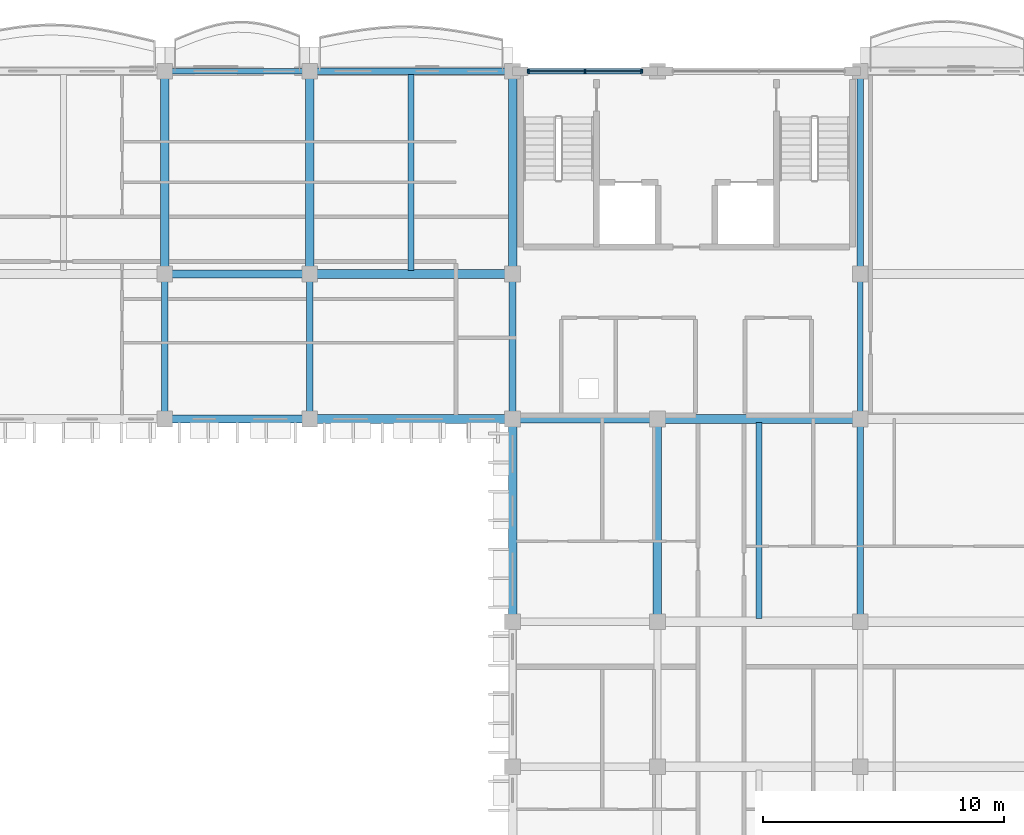
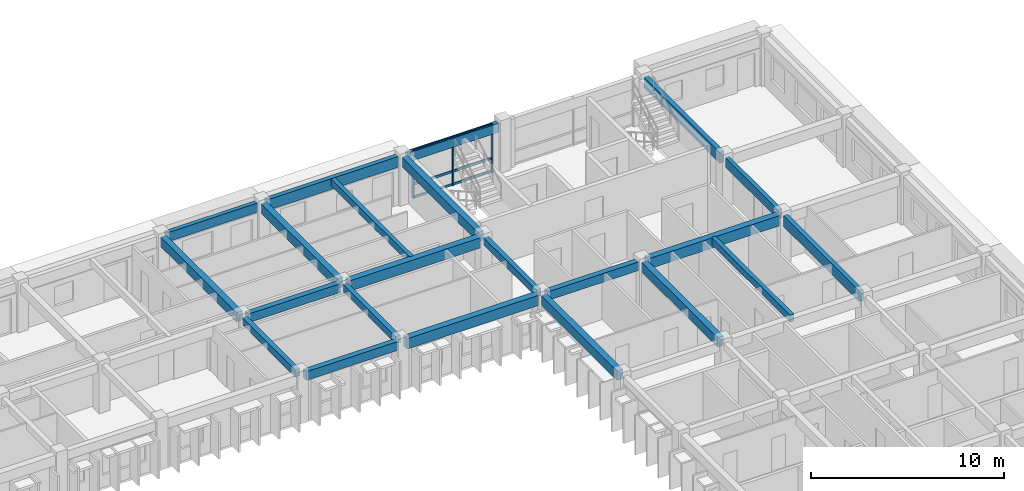
# One storey, part 9 of 70: 22 beams, 6 members, 1 element without a shape of its own.
"""IFC4 building model written with IfcOpenShell, lengths in metres."""

from ifc_helpers import new_model, si_unit, direction, frame, origin, origin_2d, place, context, subcontext, project, spatial, rectangle, extrude, material, material_profile, profile_set, type_object, element, aggregate, save


model = new_model("IFC4")

# Units and contexts
model_context = context("Model", 3, precision=1e-05, world=origin(), true_north=direction((0.0, 1.0)))
body_context = subcontext(model_context, "Body", "Model", "MODEL_VIEW")
ifc_project = project(units=[si_unit("LENGTHUNIT", "METRE"), si_unit("AREAUNIT", "SQUARE_METRE"), si_unit("VOLUMEUNIT", "CUBIC_METRE"), si_unit("PLANEANGLEUNIT", "RADIAN"), si_unit("MASSUNIT", "GRAM", prefix="KILO"), si_unit("THERMODYNAMICTEMPERATUREUNIT", "KELVIN")], contexts=[model_context])

# Site, building, storey
site_placement = place(None, origin())
site = spatial("IfcSite", under=ifc_project, at=site_placement, CompositionType="ELEMENT")
building_placement = place(site_placement, origin())
building = spatial("IfcBuilding", under=site, at=building_placement, Name="Thalorik Housing Commons", CompositionType="ELEMENT")
storey_placement = place(building_placement, frame((0.0, 0.0, 14.699951171875)))
storey = spatial("IfcBuildingStorey", under=building, at=storey_placement, Name="L04", CompositionType="ELEMENT", Elevation=14.699951171875)

# Curtain wall, members
ifc_material_1 = material(Name="Anodised aluminium and solar-control low-E glass", Category="aluminium")
curtain_wall_type = type_object("IfcCurtainWallType", Name="ARC-CW-CORE", PredefinedType="USERDEFINED", material=ifc_material_1)
curtain_wall_placement = place(storey_placement, origin())
curtain_wall = element("IfcCurtainWall", 1, at=curtain_wall_placement, inside=storey, type_object=curtain_wall_type, Name="L04 Curtain Wall CW-CORE-L04-B-090", ObjectType="CURTAIN WALL", PredefinedType="USERDEFINED")
ifc_material_2 = material(Name="Anodised aluminium 6063-T6", Category="aluminium")
ifc_material_profile_1 = material_profile(ifc_material_2, rectangle(XDim=0.06494140625, YDim=0.179931640625, at=origin_2d()), Name="ALU MUL 65x180", Category="aluminium")
ifc_profile_set_1 = profile_set([ifc_material_profile_1], Name="Anodised aluminium 6063-T6")
member_type_1 = type_object("IfcMemberType", Name="ARC-CW-MUL-65x180", PredefinedType="MULLION", material=ifc_profile_set_1)
member_1_placement = place(storey_placement, frame((157.75, 123.60009765625, 0.0), z_axis=(0.0, 0.0, 1.0), x_axis=(-1.0, 0.0, 0.0)))
member_1 = element("IfcMember", 2, at=member_1_placement, type_object=member_type_1, Name="CW-CORE-L04-B-090 Mullion 1", PredefinedType="MULLION", context=body_context, shape_type="SweptSolid", body=[
    extrude(rectangle(XDim=0.06494140625, YDim=0.179931640625, at=origin_2d()), origin(), (0.0, 0.0, 1.0), 3.0400390625),
])
member_2_placement = place(storey_placement, frame((155.39990234375, 123.60009765625, 0.0), z_axis=(0.0, 0.0, 1.0), x_axis=(-1.0, 0.0, 0.0)))
member_2 = element("IfcMember", 3, at=member_2_placement, type_object=member_type_1, Name="CW-CORE-L04-B-090 Mullion 2", PredefinedType="MULLION", context=body_context, shape_type="SweptSolid", body=[
    extrude(rectangle(XDim=0.06494140625, YDim=0.179931640625, at=origin_2d()), origin(), (0.0, 0.0, 1.0), 3.0400390625),
])
member_3_placement = place(storey_placement, frame((153.050048828125, 123.60009765625, 0.0), z_axis=(0.0, 0.0, 1.0), x_axis=(-1.0, 0.0, 0.0)))
member_3 = element("IfcMember", 4, at=member_3_placement, type_object=member_type_1, Name="CW-CORE-L04-B-090 Mullion 3", PredefinedType="MULLION", context=body_context, shape_type="SweptSolid", body=[
    extrude(rectangle(XDim=0.06494140625, YDim=0.179931640625, at=origin_2d()), origin(), (0.0, 0.0, 1.0), 3.0400390625),
])
ifc_material_profile_2 = material_profile(ifc_material_2, rectangle(XDim=0.06494140625, YDim=0.14990234375, at=origin_2d()), Name="ALU TRN 65x150", Category="aluminium")
ifc_profile_set_2 = profile_set([ifc_material_profile_2], Name="Anodised aluminium 6063-T6")
member_type_2 = type_object("IfcMemberType", Name="ARC-CW-TRN-65x150", PredefinedType="USERDEFINED", material=ifc_profile_set_2)
member_4_placement = place(storey_placement, frame((157.75, 123.60009765625, 0.054931640625), z_axis=(-1.0, 0.0, 0.0), x_axis=(0.0, -1.0, 0.0)))
member_4 = element("IfcMember", 5, at=member_4_placement, type_object=member_type_2, Name="CW-CORE-L04-B-090 Transom 1", ObjectType="TRANSOM", PredefinedType="USERDEFINED", context=body_context, shape_type="SweptSolid", body=[
    extrude(rectangle(XDim=0.06494140625, YDim=0.14990234375, at=origin_2d()), origin(), (0.0, 0.0, 1.0), 4.699951171875),
])
member_5_placement = place(storey_placement, frame((157.75, 123.60009765625, 0.880126953125), z_axis=(-1.0, 0.0, 0.0), x_axis=(0.0, -1.0, 0.0)))
member_5 = element("IfcMember", 6, at=member_5_placement, type_object=member_type_2, Name="CW-CORE-L04-B-090 Transom 2", ObjectType="TRANSOM", PredefinedType="USERDEFINED", context=body_context, shape_type="SweptSolid", body=[
    extrude(rectangle(XDim=0.06494140625, YDim=0.14990234375, at=origin_2d()), origin(), (0.0, 0.0, 1.0), 4.699951171875),
])
member_6_placement = place(storey_placement, frame((157.75, 123.60009765625, 2.985107421875), z_axis=(-1.0, 0.0, 0.0), x_axis=(0.0, -1.0, 0.0)))
member_6 = element("IfcMember", 7, at=member_6_placement, type_object=member_type_2, Name="CW-CORE-L04-B-090 Transom 3", ObjectType="TRANSOM", PredefinedType="USERDEFINED", context=body_context, shape_type="SweptSolid", body=[
    extrude(rectangle(XDim=0.06494140625, YDim=0.14990234375, at=origin_2d()), origin(), (0.0, 0.0, 1.0), 4.699951171875),
])
aggregate(curtain_wall, [member_1, member_2, member_3, member_4, member_5, member_6])

# Beams
ifc_material_3 = material(Name="Precast concrete C40/50", Category="concrete")
ifc_material_profile_3 = material_profile(ifc_material_3, rectangle(XDim=0.280029296875, YDim=0.449951171875, at=origin_2d()), Name="PC 280x450", Category="concrete")
ifc_profile_set_3 = profile_set([ifc_material_profile_3], Name="Precast concrete C40/50")
beam_type_1 = type_object("IfcBeamType", Name="STR-BM-PC280x450", PredefinedType="BEAM", material=ifc_profile_set_3)
for number, where, z_axis, x_axis, name in (
    (8, (138.0, 109.47509765625, 2.81494140625), (0.0, 1.0, 0.0), (-1.0, 0.0, 0.0), "L04 Beam B-450"),
    (9, (144.0, 109.47509765625, 2.81494140625), (0.0, 1.0, 0.0), (-1.0, 0.0, 0.0), "L04 Beam B-450"),
    (10, (152.39990234375, 109.47509765625, 2.81494140625), (0.0, 1.0, 0.0), (-1.0, 0.0, 0.0), "L04 Beam B-450"),
):
    element("IfcBeam", number, at=place(storey_placement, frame(where, z_axis=z_axis, x_axis=x_axis)), inside=storey, type_object=beam_type_1, Name=name, PredefinedType="BEAM", context=body_context, shape_type="SweptSolid", body=[
        extrude(rectangle(XDim=0.280029296875, YDim=0.449951171875, at=origin_2d()), origin(), (0.0, 0.0, 1.0), 5.449951171875),
    ])
ifc_material_profile_4 = material_profile(ifc_material_3, rectangle(XDim=0.320068359375, YDim=0.550048828125, at=origin_2d()), Name="PC 320x550", Category="concrete")
ifc_profile_set_4 = profile_set([ifc_material_profile_4], Name="Precast concrete C40/50")
beam_type_2 = type_object("IfcBeamType", Name="STR-BM-PC320x550", PredefinedType="BEAM", material=ifc_profile_set_4)
beam_1_placement = place(storey_placement, frame((138.27490234375, 109.199951171875, 2.76513671875), z_axis=(1.0, 0.0, 0.0), x_axis=(0.0, 1.0, 0.0)))
element("IfcBeam", 11, at=beam_1_placement, inside=storey, type_object=beam_type_2, Name="L04 Beam B-550", PredefinedType="BEAM", context=body_context, shape_type="SweptSolid", body=[
    extrude(rectangle(XDim=0.320068359375, YDim=0.550048828125, at=origin_2d()), origin(), (0.0, 0.0, 1.0), 5.4501953125),
])
beam_2_placement = place(storey_placement, frame((152.675048828125, 109.199951171875, 2.76513671875), z_axis=(1.0, 0.0, 0.0), x_axis=(0.0, 1.0, 0.0)))
element("IfcBeam", 12, at=beam_2_placement, inside=storey, type_object=beam_type_2, Name="L04 Beam B-550", PredefinedType="BEAM", context=body_context, shape_type="SweptSolid", body=[
    extrude(rectangle(XDim=0.320068359375, YDim=0.550048828125, at=origin_2d()), origin(), (0.0, 0.0, 1.0), 5.449951171875),
])
beam_3_placement = place(storey_placement, frame((138.27490234375, 115.199951171875, 2.76513671875), z_axis=(1.0, 0.0, 0.0), x_axis=(0.0, 1.0, 0.0)))
element("IfcBeam", 13, at=beam_3_placement, inside=storey, type_object=beam_type_2, Name="L04 Beam B-550", PredefinedType="BEAM", context=body_context, shape_type="SweptSolid", body=[
    extrude(rectangle(XDim=0.320068359375, YDim=0.550048828125, at=origin_2d()), origin(), (0.0, 0.0, 1.0), 5.4501953125),
])
ifc_material_profile_5 = material_profile(ifc_material_3, rectangle(XDim=0.35009765625, YDim=0.60009765625, at=origin_2d()), Name="PC 350x600", Category="concrete")
ifc_profile_set_5 = profile_set([ifc_material_profile_5], Name="Precast concrete C40/50")
beam_type_3 = type_object("IfcBeamType", Name="STR-BM-PC350x600", PredefinedType="BEAM", material=ifc_profile_set_5)
for number, where, z_axis, x_axis, name in (
    (14, (138.0, 115.47509765625, 2.739990234375), (0.0, 1.0, 0.0), (-1.0, 0.0, 0.0), "L04 Beam B-600"),
    (15, (144.0, 115.47509765625, 2.739990234375), (0.0, 1.0, 0.0), (-1.0, 0.0, 0.0), "L04 Beam B-600"),
):
    element("IfcBeam", number, at=place(storey_placement, frame(where, z_axis=z_axis, x_axis=x_axis)), inside=storey, type_object=beam_type_3, Name=name, PredefinedType="BEAM", context=body_context, shape_type="SweptSolid", body=[
        extrude(rectangle(XDim=0.35009765625, YDim=0.60009765625, at=origin_2d()), origin(), (0.0, 0.0, 1.0), 7.849853515625),
    ])
beam_4_placement = place(storey_placement, frame((152.39990234375, 101.074951171875, 2.739990234375), z_axis=(0.0, 1.0, 0.0), x_axis=(-1.0, 0.0, 0.0)))
element("IfcBeam", 16, at=beam_4_placement, inside=storey, type_object=beam_type_3, Name="L04 Beam B-600", PredefinedType="BEAM", context=body_context, shape_type="SweptSolid", body=[
    extrude(rectangle(XDim=0.35009765625, YDim=0.60009765625, at=origin_2d()), origin(), (0.0, 0.0, 1.0), 7.85009765625),
])
beam_5_placement = place(storey_placement, frame((152.39990234375, 115.47509765625, 2.739990234375), z_axis=(0.0, 1.0, 0.0), x_axis=(-1.0, 0.0, 0.0)))
element("IfcBeam", 17, at=beam_5_placement, inside=storey, type_object=beam_type_3, Name="L04 Beam B-600", PredefinedType="BEAM", context=body_context, shape_type="SweptSolid", body=[
    extrude(rectangle(XDim=0.35009765625, YDim=0.60009765625, at=origin_2d()), origin(), (0.0, 0.0, 1.0), 7.849853515625),
])
beam_6_placement = place(storey_placement, frame((158.39990234375, 101.074951171875, 2.739990234375), z_axis=(0.0, 1.0, 0.0), x_axis=(-1.0, 0.0, 0.0)))
element("IfcBeam", 18, at=beam_6_placement, inside=storey, type_object=beam_type_3, Name="L04 Beam B-600", PredefinedType="BEAM", context=body_context, shape_type="SweptSolid", body=[
    extrude(rectangle(XDim=0.35009765625, YDim=0.60009765625, at=origin_2d()), origin(), (0.0, 0.0, 1.0), 7.85009765625),
])
ifc_material_profile_6 = material_profile(ifc_material_3, rectangle(XDim=0.3798828125, YDim=0.64990234375, at=origin_2d()), Name="PC 380x650", Category="concrete")
ifc_profile_set_6 = profile_set([ifc_material_profile_6], Name="Precast concrete C40/50")
beam_type_4 = type_object("IfcBeamType", Name="STR-BM-PC380x650", PredefinedType="BEAM", material=ifc_profile_set_6)
beam_7_placement = place(storey_placement, frame((144.27490234375, 109.199951171875, 2.715087890625), z_axis=(1.0, 0.0, 0.0), x_axis=(0.0, 1.0, 0.0)))
element("IfcBeam", 19, at=beam_7_placement, inside=storey, type_object=beam_type_4, Name="L04 Beam B-650", PredefinedType="BEAM", context=body_context, shape_type="SweptSolid", body=[
    extrude(rectangle(XDim=0.3798828125, YDim=0.64990234375, at=origin_2d()), origin(), (0.0, 0.0, 1.0), 7.85009765625),
])
beam_8_placement = place(storey_placement, frame((158.675048828125, 109.199951171875, 2.715087890625), z_axis=(1.0, 0.0, 0.0), x_axis=(0.0, 1.0, 0.0)))
element("IfcBeam", 20, at=beam_8_placement, inside=storey, type_object=beam_type_4, Name="L04 Beam B-650", PredefinedType="BEAM", context=body_context, shape_type="SweptSolid", body=[
    extrude(rectangle(XDim=0.3798828125, YDim=0.64990234375, at=origin_2d()), origin(), (0.0, 0.0, 1.0), 7.849853515625),
])
beam_9_placement = place(storey_placement, frame((144.27490234375, 115.199951171875, 2.715087890625), z_axis=(1.0, 0.0, 0.0), x_axis=(0.0, 1.0, 0.0)))
element("IfcBeam", 21, at=beam_9_placement, inside=storey, type_object=beam_type_4, Name="L04 Beam B-650", PredefinedType="BEAM", context=body_context, shape_type="SweptSolid", body=[
    extrude(rectangle(XDim=0.3798828125, YDim=0.64990234375, at=origin_2d()), origin(), (0.0, 0.0, 1.0), 7.85009765625),
])
ifc_material_profile_7 = material_profile(ifc_material_3, rectangle(XDim=0.239990234375, YDim=0.43994140625, at=origin_2d()), Name="PC JST 240x440", Category="concrete")
ifc_profile_set_7 = profile_set([ifc_material_profile_7], Name="Precast concrete C40/50")
beam_type_5 = type_object("IfcBeamType", Name="STR-JST-PC240x440", PredefinedType="JOIST", material=ifc_profile_set_7)
beam_10_placement = place(storey_placement, frame((162.60009765625, 100.93994140625, 2.820068359375), z_axis=(0.0, 1.0, 0.0), x_axis=(-1.0, 0.0, 0.0)))
element("IfcBeam", 22, at=beam_10_placement, inside=storey, type_object=beam_type_5, Name="L04 Beam J-440", PredefinedType="JOIST", context=body_context, shape_type="SweptSolid", body=[
    extrude(rectangle(XDim=0.239990234375, YDim=0.43994140625, at=origin_2d()), origin(), (0.0, 0.0, 1.0), 8.1201171875),
])
beam_11_placement = place(storey_placement, frame((148.199951171875, 115.340087890625, 2.820068359375), z_axis=(0.0, 1.0, 0.0), x_axis=(-1.0, 0.0, 0.0)))
element("IfcBeam", 23, at=beam_11_placement, inside=storey, type_object=beam_type_5, Name="L04 Beam J-440", PredefinedType="JOIST", context=body_context, shape_type="SweptSolid", body=[
    extrude(rectangle(XDim=0.239990234375, YDim=0.43994140625, at=origin_2d()), origin(), (0.0, 0.0, 1.0), 8.119873046875),
])
ifc_material_profile_8 = material_profile(ifc_material_3, rectangle(XDim=0.239990234375, YDim=0.580078125, at=origin_2d()), Name="PC SP 240x580", Category="concrete")
ifc_profile_set_8 = profile_set([ifc_material_profile_8], Name="Precast concrete C40/50")
beam_type_6 = type_object("IfcBeamType", Name="STR-SP-PC240x580", PredefinedType="SPANDREL", material=ifc_profile_set_8)
beam_12_placement = place(storey_placement, frame((138.27490234375, 123.60009765625, 2.75), z_axis=(1.0, 0.0, 0.0), x_axis=(0.0, 1.0, 0.0)))
element("IfcBeam", 24, at=beam_12_placement, inside=storey, type_object=beam_type_6, Name="L04 Beam B-550", PredefinedType="SPANDREL", context=body_context, shape_type="SweptSolid", body=[
    extrude(rectangle(XDim=0.239990234375, YDim=0.580078125, at=origin_2d()), origin(), (0.0, 0.0, 1.0), 5.4501953125),
])
for number, where, z_axis, x_axis, name in (
    (25, (152.675048828125, 123.60009765625, 2.75), (1.0, 0.0, 0.0), (0.0, 1.0, 0.0), "L04 Beam B-550"),
    (26, (166.800048828125, 109.47509765625, 2.75), (0.0, 1.0, 0.0), (-1.0, 0.0, 0.0), "L04 Beam B-450"),
):
    element("IfcBeam", number, at=place(storey_placement, frame(where, z_axis=z_axis, x_axis=x_axis)), inside=storey, type_object=beam_type_6, Name=name, PredefinedType="SPANDREL", context=body_context, shape_type="SweptSolid", body=[
        extrude(rectangle(XDim=0.239990234375, YDim=0.580078125, at=origin_2d()), origin(), (0.0, 0.0, 1.0), 5.449951171875),
    ])
ifc_material_profile_9 = material_profile(ifc_material_3, rectangle(XDim=0.260009765625, YDim=0.679931640625, at=origin_2d()), Name="PC SP 260x680", Category="concrete")
ifc_profile_set_9 = profile_set([ifc_material_profile_9], Name="Precast concrete C40/50")
beam_type_7 = type_object("IfcBeamType", Name="STR-SP-PC260x680", PredefinedType="SPANDREL", material=ifc_profile_set_9)
for number, where, z_axis, x_axis, name in (
    (27, (144.27490234375, 123.60009765625, 2.699951171875), (1.0, 0.0, 0.0), (0.0, 1.0, 0.0), "L04 Beam B-650"),
    (28, (166.800048828125, 101.074951171875, 2.699951171875), (0.0, 1.0, 0.0), (-1.0, 0.0, 0.0), "L04 Beam B-600"),
):
    element("IfcBeam", number, at=place(storey_placement, frame(where, z_axis=z_axis, x_axis=x_axis)), inside=storey, type_object=beam_type_7, Name=name, PredefinedType="SPANDREL", context=body_context, shape_type="SweptSolid", body=[
        extrude(rectangle(XDim=0.260009765625, YDim=0.679931640625, at=origin_2d()), origin(), (0.0, 0.0, 1.0), 7.85009765625),
    ])
beam_13_placement = place(storey_placement, frame((166.800048828125, 115.47509765625, 2.699951171875), z_axis=(0.0, 1.0, 0.0), x_axis=(-1.0, 0.0, 0.0)))
element("IfcBeam", 29, at=beam_13_placement, inside=storey, type_object=beam_type_7, Name="L04 Beam B-600", PredefinedType="SPANDREL", context=body_context, shape_type="SweptSolid", body=[
    extrude(rectangle(XDim=0.260009765625, YDim=0.679931640625, at=origin_2d()), origin(), (0.0, 0.0, 1.0), 7.849853515625),
])

save(model, "model.ifc")
